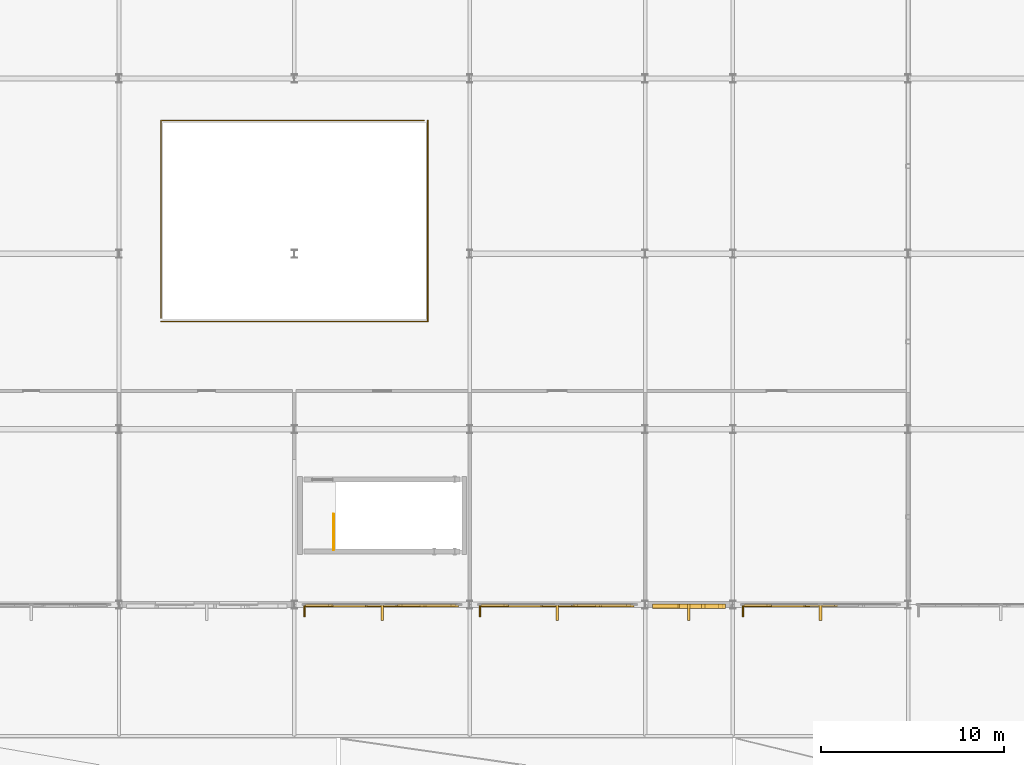
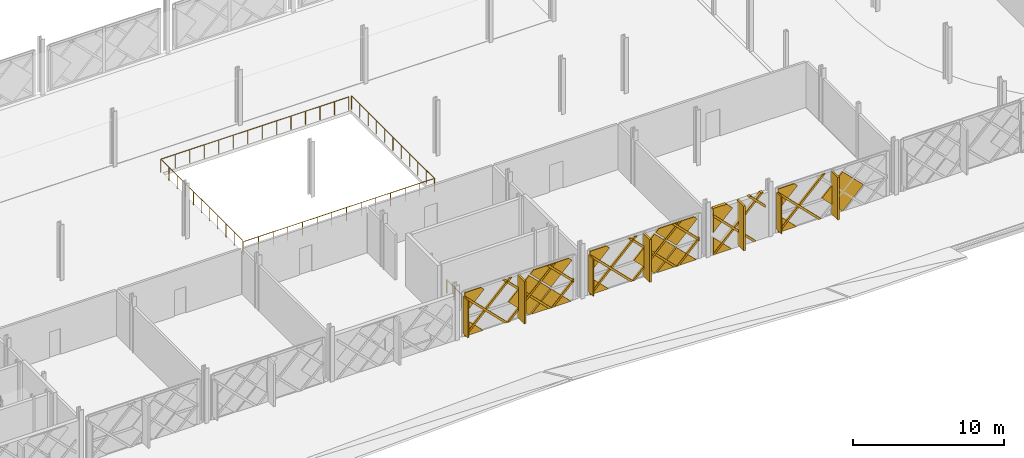
# One storey, part 81 of 101: 36 coverings, 3 railings, 3 shading devices.
"""IFC4 building model written with IfcOpenShell, lengths in metres."""

from ifc_helpers import new_model, si_unit, direction, frame, origin, origin_2d, place, context, subcontext, project, spatial, polyline, rectangle, circle, outline, extrude, material, layer, layer_set, type_object, element, save


model = new_model("IFC4")

# Units and contexts
model_context = context("Model", 3, precision=1e-05, world=origin(), true_north=direction((0.0, 1.0)))
body_context = subcontext(model_context, "Body", "Model", "MODEL_VIEW")
ifc_project = project(units=[si_unit("LENGTHUNIT", "METRE"), si_unit("AREAUNIT", "SQUARE_METRE"), si_unit("VOLUMEUNIT", "CUBIC_METRE"), si_unit("PLANEANGLEUNIT", "RADIAN"), si_unit("MASSUNIT", "GRAM", prefix="KILO")], contexts=[model_context])

# Site, building, storey
site_placement = place(None, origin())
site = spatial("IfcSite", under=ifc_project, at=site_placement, CompositionType="ELEMENT")
building_placement = place(site_placement, origin())
building = spatial("IfcBuilding", under=site, at=building_placement, Name="Zevrakil Square Congress Hotel", CompositionType="ELEMENT")
storey_placement = place(building_placement, frame((0.0, 0.0, 5.39990234375)))
storey = spatial("IfcBuildingStorey", under=building, at=storey_placement, Name="L02", CompositionType="ELEMENT", Elevation=5.39990234375)

# Coverings
ifc_material_1 = material(Name="Architectural White Fibre-C GRC", Category="concrete")
ifc_layer_1 = layer(ifc_material_1, 0.06494140625)
ifc_layer_set_1 = layer_set([ifc_layer_1], Name="Architectural White Fibre-C GRC")
covering_type_1 = type_object("IfcCoveringType", Name="COV-DIA-WHITE", PredefinedType="CLADDING", material=ifc_layer_set_1)
covering_1_placement = place(storey_placement, frame((86.030029296875, 7.10498046875, 0.080078125), z_axis=(0.0, -0.999999760125, 0.000692640526), x_axis=(-1.0, 0.0, 0.0)))
element("IfcCovering", 1, at=covering_1_placement, inside=storey, type_object=covering_type_1, Name="L02 45-degree white GRC diamond facade cassette 141", PredefinedType="CLADDING", context=body_context, shape_type="SweptSolid", body=[
    extrude(outline(polyline([(0.0, 0.0), (1.409912109375, 0.0), (1.409912109375, -1.4099124475784228), (0.0, 0.0)])), origin(), (0.0, 0.0, -1.0), 0.1201171875),
])
covering_2_placement = place(storey_placement, frame((91.239990234375, 7.10595703125, 1.590087890625), z_axis=(0.0, -0.999999790873, 0.000646725815), x_axis=(0.707106707249, -0.000457304257, -0.707106707249)))
element("IfcCovering", 2, at=covering_2_placement, inside=storey, type_object=covering_type_1, Name="L02 45-degree white GRC diamond facade cassette 142", PredefinedType="CLADDING", context=body_context, shape_type="SweptSolid", body=[
    extrude(outline(polyline([(0.0, 0.0), (2.1354765131557993, 0.0), (4.465861884739297e-07, -2.1354765131557527), (0.0, 0.0)])), origin(), (0.0, 0.0, -1.0), 0.1201171875),
])
covering_3_placement = place(storey_placement, frame((89.56005859375, 7.10693359375, 3.27001953125), z_axis=(0.0, -0.999999811377, 0.000614203339), x_axis=(0.707106714488, -0.000434307387, -0.707106714509)))
element("IfcCovering", 3, at=covering_3_placement, inside=storey, type_object=covering_type_1, Name="L02 45-degree white GRC diamond facade cassette 143", PredefinedType="CLADDING", context=body_context, shape_type="SweptSolid", body=[
    extrude(outline(polyline([(0.0, 0.0), (2.2483788053845455, -2.220446049250313e-16), (2.2485518630206376, -2.24855143882716), (-0.00017220931434658304, -2.2485514388922905), (0.0, 0.0)])), origin(), (0.0, 0.0, -1.0), 0.1201171875),
])
covering_4_placement = place(storey_placement, frame((86.110107421875, 7.10693359375, 3.360107421875), z_axis=(-6.3817204e-05, -0.999999812707, 0.000608697323), x_axis=(-0.70710674138, -0.000385288462, -0.707106716025)))
element("IfcCovering", 4, at=covering_4_placement, inside=storey, type_object=covering_type_1, Name="L02 45-degree white GRC diamond facade cassette 144", PredefinedType="CLADDING", context=body_context, shape_type="SweptSolid", body=[
    extrude(outline(polyline([(0.0, 0.0), (2.107164523048957, 0.0), (0.8804306692337134, -1.2267337135238576), (0.00017254562600751977, -0.34647549439319403), (0.0, 0.0)])), origin(), (0.0, 0.0, -1.0), 0.1201171875),
])
covering_5_placement = place(storey_placement, frame((92.830078125, 7.10693359375, 3.360107421875), z_axis=(0.0, -0.999999832181, 0.000579342815), x_axis=(-0.707106746172, -0.000409657254, -0.707106697535)))
element("IfcCovering", 5, at=covering_5_placement, inside=storey, type_object=covering_type_1, Name="L02 45-degree white GRC diamond facade cassette 145", PredefinedType="CLADDING", context=body_context, shape_type="SweptSolid", body=[
    extrude(outline(polyline([(0.0, 0.0), (2.2487239716396576, -2.220446049250313e-16), (2.2487237489345504, -2.248723971639647), (1.9022482605454791, -2.248551391947205), (0.00017254537882177567, -0.3464754884061615), (0.0, 0.0)])), origin(), (0.0, 0.0, -1.0), 0.1201171875),
])
covering_6_placement = place(storey_placement, frame((95.6298828125, 7.10498046875, 0.080078125), z_axis=(0.0, -0.999999760125, 0.000692640526), x_axis=(-1.0, 0.0, 0.0)))
element("IfcCovering", 6, at=covering_6_placement, inside=storey, type_object=covering_type_1, Name="L02 45-degree white GRC diamond facade cassette 164", PredefinedType="CLADDING", context=body_context, shape_type="SweptSolid", body=[
    extrude(outline(polyline([(0.0, 0.0), (1.409912109375, 0.0), (1.409912109375, -1.4099124475784228), (0.0, 0.0)])), origin(), (0.0, 0.0, -1.0), 0.1201171875),
])
covering_7_placement = place(storey_placement, frame((100.840087890625, 7.10595703125, 1.590087890625), z_axis=(0.0, -0.999999790873, 0.000646725815), x_axis=(0.707106707249, -0.000457304257, -0.707106707249)))
element("IfcCovering", 7, at=covering_7_placement, inside=storey, type_object=covering_type_1, Name="L02 45-degree white GRC diamond facade cassette 165", PredefinedType="CLADDING", context=body_context, shape_type="SweptSolid", body=[
    extrude(outline(polyline([(0.0, 0.0), (2.1354765131557993, 0.0), (4.465861884739297e-07, -2.1354765131557527), (0.0, 0.0)])), origin(), (0.0, 0.0, -1.0), 0.1201171875),
])
covering_8_placement = place(storey_placement, frame((99.159912109375, 7.10693359375, 3.27001953125), z_axis=(0.0, -0.999999811377, 0.000614203339), x_axis=(0.707161000837, -0.000434274042, -0.707052424012)))
element("IfcCovering", 8, at=covering_8_placement, inside=storey, type_object=covering_type_1, Name="L02 45-degree white GRC diamond facade cassette 166", PredefinedType="CLADDING", context=body_context, shape_type="SweptSolid", body=[
    extrude(outline(polyline([(0.0, 0.0), (2.2485514454867683, 0.0), (2.2483792228863573, -2.248724065739994), (-0.0001721960923970478, -2.248378798790573), (0.0, 0.0)])), origin(), (0.0, 0.0, -1.0), 0.1201171875),
])
covering_9_placement = place(storey_placement, frame((95.7099609375, 7.10693359375, 3.360107421875), z_axis=(-6.3815884e-05, -0.999999812703, 0.000608705356), x_axis=(-0.707106741381, -0.000385295076, -0.707106716021)))
element("IfcCovering", 9, at=covering_9_placement, inside=storey, type_object=covering_type_1, Name="L02 45-degree white GRC diamond facade cassette 167", PredefinedType="CLADDING", context=body_context, shape_type="SweptSolid", body=[
    extrude(outline(polyline([(0.0, 0.0), (2.1071645230484313, 0.0), (0.8804306692339328, -1.2267337135237), (-8.785623831220057e-08, -0.3463028608930553), (0.0, 0.0)])), origin(), (0.0, 0.0, -1.0), 0.1201171875),
])
covering_10_placement = place(storey_placement, frame((102.429931640625, 7.10693359375, 3.360107421875), z_axis=(0.0, -0.999999832179, 0.000579346068), x_axis=(-0.707052455657, -0.000409691004, -0.707160983866)))
element("IfcCovering", 10, at=covering_10_placement, inside=storey, type_object=covering_type_1, Name="L02 45-degree white GRC diamond facade cassette 168", PredefinedType="CLADDING", context=body_context, shape_type="SweptSolid", body=[
    extrude(outline(polyline([(0.0, 0.0), (2.2485513447832775, -2.220446049250313e-16), (2.248378475325489, -2.2487239649946003), (1.901903001207207, -2.248524784497797), (-2.6675655460328684e-05, -0.346302853878948), (0.0, 0.0)])), origin(), (0.0, 0.0, -1.0), 0.1201171875),
])
covering_11_placement = place(storey_placement, frame((105.010009765625, 7.02001953125, 0.080078125), z_axis=(0.0, -0.999999760125, 0.000692640526), x_axis=(-1.0, 0.0, 0.0)))
element("IfcCovering", 11, at=covering_11_placement, inside=storey, type_object=covering_type_1, Name="L02 45-degree white GRC diamond facade cassette 188", PredefinedType="CLADDING", context=body_context, shape_type="SweptSolid", body=[
    extrude(outline(polyline([(0.0, 0.0), (1.409912109375, 0.0), (1.409912109375, -1.4099124475784228), (0.0, 0.0)])), origin(), (0.0, 0.0, -1.0), 0.219970703125),
])
covering_12_placement = place(storey_placement, frame((105.090087890625, 7.02197265625, 3.360107421875), z_axis=(2.938165e-05, -0.999999815938, 0.000606020569), x_axis=(-0.707106705735, -0.000449297258, -0.707106713896)))
element("IfcCovering", 12, at=covering_12_placement, inside=storey, type_object=covering_type_1, Name="L02 45-degree white GRC diamond facade cassette 189", PredefinedType="CLADDING", context=body_context, shape_type="SweptSolid", body=[
    extrude(outline(polyline([(0.0, 0.0), (2.1071646233388757, 2.220446049250313e-16), (0.7176372340245711, -1.3895270927381438), (-1.1356861362443738e-07, -0.6718895926146887), (0.0, 0.0)])), origin(), (0.0, 0.0, -1.0), 0.219970703125),
])
covering_13_placement = place(storey_placement, frame((110.030029296875, 7.10498046875, 0.080078125), z_axis=(0.0, -0.999999760125, 0.000692640526), x_axis=(-1.0, 0.0, 0.0)))
element("IfcCovering", 13, at=covering_13_placement, inside=storey, type_object=covering_type_1, Name="L02 45-degree white GRC diamond facade cassette 201", PredefinedType="CLADDING", context=body_context, shape_type="SweptSolid", body=[
    extrude(outline(polyline([(0.0, 0.0), (1.409912109375, 0.0), (1.409912109375, -1.4099124475784228), (0.0, 0.0)])), origin(), (0.0, 0.0, -1.0), 0.1201171875),
])
covering_14_placement = place(storey_placement, frame((113.56005859375, 7.10693359375, 3.27001953125), z_axis=(0.0, -0.999999811377, 0.000614203339), x_axis=(0.707106714488, -0.000434307387, -0.707106714509)))
element("IfcCovering", 14, at=covering_14_placement, inside=storey, type_object=covering_type_1, Name="L02 45-degree white GRC diamond facade cassette 203", PredefinedType="CLADDING", context=body_context, shape_type="SweptSolid", body=[
    extrude(outline(polyline([(0.0, 0.0), (2.2483788053845455, -2.220446049250313e-16), (2.2485518630206376, -2.24855143882716), (-0.00017220931434658304, -2.2485514388922905), (0.0, 0.0)])), origin(), (0.0, 0.0, -1.0), 0.1201171875),
])
covering_15_placement = place(storey_placement, frame((110.110107421875, 7.10693359375, 3.360107421875), z_axis=(-6.3817204e-05, -0.999999812707, 0.000608697323), x_axis=(-0.70710674138, -0.000385288462, -0.707106716025)))
element("IfcCovering", 15, at=covering_15_placement, inside=storey, type_object=covering_type_1, Name="L02 45-degree white GRC diamond facade cassette 204", PredefinedType="CLADDING", context=body_context, shape_type="SweptSolid", body=[
    extrude(outline(polyline([(0.0, 0.0), (2.107164523048957, 0.0), (0.8804306692337134, -1.2267337135238576), (0.00017254562600751977, -0.34647549439319403), (0.0, 0.0)])), origin(), (0.0, 0.0, -1.0), 0.1201171875),
])
ifc_material_2 = material(Name="Anodised Champagne Aluminium", Category="aluminium")
ifc_layer_2 = layer(ifc_material_2, 0.0849609375)
ifc_layer_set_2 = layer_set([ifc_layer_2], Name="Anodised Champagne Aluminium")
covering_type_2 = type_object("IfcCoveringType", Name="COV-DIAGRID-45", PredefinedType="MOLDING", material=ifc_layer_set_2)
covering_16_placement = place(storey_placement, frame((84.7060546875, 7.080078125, 0.080078125), z_axis=(0.000187315855, -0.999999884444, 0.000442746567), x_axis=(-0.999999982456, -0.000187315837, 8.2933e-08)))
element("IfcCovering", 16, at=covering_16_placement, inside=storey, type_object=covering_type_2, Name="L02 45-degree aluminium diagrid rib 146", PredefinedType="MOLDING", context=body_context, shape_type="SweptSolid", body=[
    extrude(outline(polyline([(0.0, 0.0), (0.08593749849234558, 2.274746684520826e-24), (0.08593750896026438, -0.12622069075382242), (-3.312744201757818, -3.5249029710981508), (-3.525146541781513, -3.5249029710981508), (0.0, 0.0)])), origin(), (0.0, 0.0, -1.0), 0.14501953125),
])
covering_17_placement = place(storey_placement, frame((88.066162109375, 7.080078125, 0.080078125), z_axis=(0.0, -0.999999805714, 0.000623354914), x_axis=(-1.0, 0.0, 0.0)))
element("IfcCovering", 17, at=covering_17_placement, inside=storey, type_object=covering_type_2, Name="L02 45-degree aluminium diagrid rib 147", PredefinedType="MOLDING", context=body_context, shape_type="SweptSolid", body=[
    extrude(outline(polyline([(0.0, 0.0), (0.212158203125, 0.0), (-3.312744140625, -3.5249030285882292), (-3.52490234375, -3.5249030285882292), (0.0, 0.0)])), origin(), (0.0, 0.0, -1.0), 0.14501953125),
])
covering_18_placement = place(storey_placement, frame((91.426025390625, 7.080078125, 0.080078125), z_axis=(0.000294139249, -0.999999913482, 0.000294139249), x_axis=(-0.999999956741, -0.000294139237, 8.6518e-08)))
element("IfcCovering", 18, at=covering_18_placement, inside=storey, type_object=covering_type_2, Name="L02 45-degree aluminium diagrid rib 148", PredefinedType="MOLDING", context=body_context, shape_type="SweptSolid", body=[
    extrude(outline(polyline([(0.0, 0.0), (0.2121581939472589, 0.0), (-1.553955145347468, -1.7661134920951609), (-1.5539551637029505, -1.5539552981479028), (0.0, 0.0)])), origin(), (0.0, 0.0, -1.0), 0.14501953125),
])
covering_19_placement = place(storey_placement, frame((84.6201171875, 7.081787109375, 3.154052734375), z_axis=(0.000287488092, -0.999999586067, 0.000863259418), x_axis=(8.2649e-08, 0.000863259477, 0.999999627391)))
element("IfcCovering", 19, at=covering_19_placement, inside=storey, type_object=covering_type_2, Name="L02 45-degree aluminium diagrid rib 149", PredefinedType="MOLDING", context=body_context, shape_type="SweptSolid", body=[
    extrude(outline(polyline([(0.0, 0.0), (0.212158334829751, 1.3234889800848443e-23), (-3.0739746677062127, -3.2858890617254115), (-3.073974685240951, -3.0737308673677872), (0.0, 0.0)])), origin(), (0.0, 0.0, -1.0), 0.14501953125),
])
covering_20_placement = place(storey_placement, frame((87.52880859375, 7.082275390625, 3.60498046875), z_axis=(0.0, -0.999999805714, 0.000623354914), x_axis=(1.0, 0.0, 0.0)))
element("IfcCovering", 20, at=covering_20_placement, inside=storey, type_object=covering_type_2, Name="L02 45-degree aluminium diagrid rib 150", PredefinedType="MOLDING", context=body_context, shape_type="SweptSolid", body=[
    extrude(outline(polyline([(0.0, 0.0), (0.21240234375, 0.0), (3.7373046875, -3.524903028588229), (3.525146484375, -3.524903028588229), (0.0, 0.0)])), origin(), (0.0, 0.0, -1.0), 0.14501953125),
])
covering_21_placement = place(storey_placement, frame((90.888916015625, 7.082275390625, 3.60498046875), z_axis=(0.000236587851, -0.999999555129, 0.000913108865), x_axis=(0.999999972013, 0.000236587752, -2.1603e-07)))
element("IfcCovering", 21, at=covering_21_placement, inside=storey, type_object=covering_type_2, Name="L02 45-degree aluminium diagrid rib 151", PredefinedType="MOLDING", context=body_context, shape_type="SweptSolid", body=[
    extrude(outline(polyline([(0.0, 0.0), (0.21215819718734832, -5.6157808774107894e-24), (2.091064511647426, -1.878662440825683), (2.091064499772122, -2.0910649189555177), (0.0, 0.0)])), origin(), (0.0, 0.0, -1.0), 0.14501953125),
])
covering_22_placement = place(storey_placement, frame((94.30615234375, 7.080078125, 0.080078125), z_axis=(0.000187311957, -0.999999884449, 0.000442737353), x_axis=(-0.999999982457, -0.000187311939, 8.293e-08)))
element("IfcCovering", 22, at=covering_22_placement, inside=storey, type_object=covering_type_2, Name="L02 45-degree aluminium diagrid rib 169", PredefinedType="MOLDING", context=body_context, shape_type="SweptSolid", body=[
    extrude(outline(polyline([(0.0, 0.0), (0.0861816391131254, 2.2812090330563966e-24), (0.08618164958060848, -0.12622069075433734), (-3.312744201763839, -3.524902971092284), (-3.5249024011669716, -3.524902971092284), (0.0, 0.0)])), origin(), (0.0, 0.0, -1.0), 0.14501953125),
])
covering_23_placement = place(storey_placement, frame((97.666015625, 7.080078125, 0.080078125), z_axis=(0.0, -0.999999805714, 0.000623354914), x_axis=(-1.0, 0.0, 0.0)))
element("IfcCovering", 23, at=covering_23_placement, inside=storey, type_object=covering_type_2, Name="L02 45-degree aluminium diagrid rib 170", PredefinedType="MOLDING", context=body_context, shape_type="SweptSolid", body=[
    extrude(outline(polyline([(0.0, 0.0), (0.212158203125, 0.0), (-3.31298828125, -3.5249030285882292), (-3.525146484375, -3.5249030285882292), (0.0, 0.0)])), origin(), (0.0, 0.0, -1.0), 0.14501953125),
])
covering_24_placement = place(storey_placement, frame((101.026123046875, 7.080078125, 0.080078125), z_axis=(0.000294139249, -0.999999913482, 0.000294139249), x_axis=(-0.999999956741, -0.000294139237, 8.6518e-08)))
element("IfcCovering", 24, at=covering_24_placement, inside=storey, type_object=covering_type_2, Name="L02 45-degree aluminium diagrid rib 171", PredefinedType="MOLDING", context=body_context, shape_type="SweptSolid", body=[
    extrude(outline(polyline([(0.0, 0.0), (0.2121581939472589, 0.0), (-1.553955145347468, -1.7661134920951609), (-1.5539551637029505, -1.5539552981479028), (0.0, 0.0)])), origin(), (0.0, 0.0, -1.0), 0.14501953125),
])
covering_25_placement = place(storey_placement, frame((94.219970703125, 7.081787109375, 3.154052734375), z_axis=(0.000287477056, -0.99999958606, 0.000863270454), x_axis=(8.2643e-08, 0.000863270513, 0.999999627382)))
element("IfcCovering", 25, at=covering_25_placement, inside=storey, type_object=covering_type_2, Name="L02 45-degree aluminium diagrid rib 172", PredefinedType="MOLDING", context=body_context, shape_type="SweptSolid", body=[
    extrude(outline(polyline([(0.0, 0.0), (0.21215833483042407, 1.3234889800848443e-23), (-3.0739746676964605, -3.286133202330571), (-3.073974685229852, -3.0739750079722734), (0.0, 0.0)])), origin(), (0.0, 0.0, -1.0), 0.14501953125),
])
covering_26_placement = place(storey_placement, frame((97.12890625, 7.082275390625, 3.60498046875), z_axis=(0.0, -0.999999805714, 0.000623354914), x_axis=(1.0, 0.0, 0.0)))
element("IfcCovering", 26, at=covering_26_placement, inside=storey, type_object=covering_type_2, Name="L02 45-degree aluminium diagrid rib 173", PredefinedType="MOLDING", context=body_context, shape_type="SweptSolid", body=[
    extrude(outline(polyline([(0.0, 0.0), (0.212158203125, 0.0), (3.7373046875, -3.524903028588229), (3.52490234375, -3.524903028588229), (0.0, 0.0)])), origin(), (0.0, 0.0, -1.0), 0.14501953125),
])
covering_27_placement = place(storey_placement, frame((100.489013671875, 7.082275390625, 3.60498046875), z_axis=(0.000236587851, -0.999999555129, 0.000913108865), x_axis=(0.999999972013, 0.000236587752, -2.1603e-07)))
element("IfcCovering", 27, at=covering_27_placement, inside=storey, type_object=covering_type_2, Name="L02 45-degree aluminium diagrid rib 174", PredefinedType="MOLDING", context=body_context, shape_type="SweptSolid", body=[
    extrude(outline(polyline([(0.0, 0.0), (0.21215819718734832, -5.6157808774107894e-24), (2.091064511647426, -1.878662440825683), (2.091064499772122, -2.0910649189555177), (0.0, 0.0)])), origin(), (0.0, 0.0, -1.0), 0.14501953125),
])
covering_28_placement = place(storey_placement, frame((103.68603515625, 6.9951171875, 0.080078125), z_axis=(0.000175817836, -0.999999898336, 0.000415229359), x_axis=(-0.999999984544, -0.000175817821, 7.3005e-08)))
element("IfcCovering", 28, at=covering_28_placement, inside=storey, type_object=covering_type_2, Name="L02 45-degree aluminium diagrid rib 190", PredefinedType="MOLDING", context=body_context, shape_type="SweptSolid", body=[
    extrude(outline(polyline([(0.0, 0.0), (0.08593749867175378, 1.137373342260413e-24), (0.08593750788646196, -0.12622069224380142), (-3.542968807416462, -3.75512754177329), (-3.755127007262354, -3.75512754177329), (0.0, 0.0)])), origin(), (0.0, 0.0, -1.0), 0.2451171875),
])
covering_29_placement = place(storey_placement, frame((103.60009765625, 6.996826171875, 3.154052734375), z_axis=(0.000287488092, -0.999999586067, 0.000863259418), x_axis=(8.2649e-08, 0.000863259477, 0.999999627391)))
element("IfcCovering", 29, at=covering_29_placement, inside=storey, type_object=covering_type_2, Name="L02 45-degree aluminium diagrid rib 191", PredefinedType="MOLDING", context=body_context, shape_type="SweptSolid", body=[
    extrude(outline(polyline([(0.0, 0.0), (0.212158334829751, 1.3234889800848443e-23), (-3.0739746677062127, -3.2858890617254115), (-3.073974685240951, -3.0737308673677872), (0.0, 0.0)])), origin(), (0.0, 0.0, -1.0), 0.2451171875),
])
covering_30_placement = place(storey_placement, frame((106.27880859375, 6.997314453125, 3.835205078125), z_axis=(-0.00030138635, -0.999999909166, 0.00030138635), x_axis=(0.999999954583, -0.000301386336, 9.0834e-08)))
element("IfcCovering", 30, at=covering_30_placement, inside=storey, type_object=covering_type_2, Name="L02 45-degree aluminium diagrid rib 192", PredefinedType="MOLDING", context=body_context, shape_type="SweptSolid", body=[
    extrude(outline(polyline([(0.0, 0.0), (0.212402334103351, 2.81112161297318e-24), (1.3212891225088124, -1.1088868891298003), (1.3212891032155138, -1.3212892232331503), (0.0, 0.0)])), origin(), (0.0, 0.0, -1.0), 0.2451171875),
])
covering_31_placement = place(storey_placement, frame((108.7060546875, 7.080078125, 0.080078125), z_axis=(0.000187315855, -0.999999884444, 0.000442746567), x_axis=(-0.999999982456, -0.000187315837, 8.2933e-08)))
element("IfcCovering", 31, at=covering_31_placement, inside=storey, type_object=covering_type_2, Name="L02 45-degree aluminium diagrid rib 206", PredefinedType="MOLDING", context=body_context, shape_type="SweptSolid", body=[
    extrude(outline(polyline([(0.0, 0.0), (0.08593749849234558, 2.274746684520826e-24), (0.08593750896026438, -0.12622069075382242), (-3.312744201757818, -3.5249029710981508), (-3.525146541781513, -3.5249029710981508), (0.0, 0.0)])), origin(), (0.0, 0.0, -1.0), 0.14501953125),
])
covering_32_placement = place(storey_placement, frame((108.6201171875, 7.081787109375, 3.154052734375), z_axis=(0.000287488092, -0.999999586067, 0.000863259418), x_axis=(8.2649e-08, 0.000863259477, 0.999999627391)))
element("IfcCovering", 32, at=covering_32_placement, inside=storey, type_object=covering_type_2, Name="L02 45-degree aluminium diagrid rib 209", PredefinedType="MOLDING", context=body_context, shape_type="SweptSolid", body=[
    extrude(outline(polyline([(0.0, 0.0), (0.212158334829751, 1.3234889800848443e-23), (-3.0739746677062127, -3.2858890617254115), (-3.073974685240951, -3.0737308673677872), (0.0, 0.0)])), origin(), (0.0, 0.0, -1.0), 0.14501953125),
])
ifc_material_3 = material(Name="Architectural White Fibre-C GRC", Category="concrete")
ifc_layer_3 = layer(ifc_material_3, 0.139892578125)
ifc_layer_set_3 = layer_set([ifc_layer_3], Name="Architectural White Fibre-C GRC")
covering_type_3 = type_object("IfcCoveringType", Name="COV-FIN-GRC90", PredefinedType="MOLDING", material=ifc_layer_set_3)
for number, where, z_axis, x_axis, name in (
    (33, (88.800048828125, 6.780029296875, 0.1201171875), (0.0, 0.0, 1.0), (0.0, -1.0, 0.0), "L02 highland sun-breaker GRC fin 152"),
    (34, (98.39990234375, 6.780029296875, 0.1201171875), (0.0, 0.0, 1.0), (0.0, -1.0, 0.0), "L02 highland sun-breaker GRC fin 175"),
):
    element("IfcCovering", number, at=place(storey_placement, frame(where, z_axis=z_axis, x_axis=x_axis)), inside=storey, type_object=covering_type_3, Name=name, PredefinedType="MOLDING", context=body_context, shape_type="SweptSolid", body=[
        extrude(rectangle(XDim=0.89990234375, YDim=0.139892578125, at=origin_2d()), origin(), (0.0, 0.0, 1.0), 3.445068359375),
    ])
covering_33_placement = place(storey_placement, frame((105.60009765625, 6.780029296875, 0.157470703125), z_axis=(0.0, 0.0, 1.0), x_axis=(0.0, -1.0, 0.0)))
element("IfcCovering", 35, at=covering_33_placement, inside=storey, type_object=covering_type_3, Name="L02 highland sun-breaker GRC fin 193", PredefinedType="MOLDING", context=body_context, shape_type="SweptSolid", body=[
    extrude(rectangle(XDim=0.89990234375, YDim=0.139892578125, at=origin_2d()), origin(), (0.0, 0.0, 1.0), 3.60009765625),
])
covering_34_placement = place(storey_placement, frame((112.800048828125, 6.780029296875, 0.1201171875), z_axis=(0.0, 0.0, 1.0), x_axis=(0.0, -1.0, 0.0)))
element("IfcCovering", 36, at=covering_34_placement, inside=storey, type_object=covering_type_3, Name="L02 highland sun-breaker GRC fin 212", PredefinedType="MOLDING", context=body_context, shape_type="SweptSolid", body=[
    extrude(rectangle(XDim=0.89990234375, YDim=0.139892578125, at=origin_2d()), origin(), (0.0, 0.0, 1.0), 3.445068359375),
])

# Railings
ifc_material_4 = material(Name="Steel S355", Category="steel")
railing_type_1 = type_object("IfcRailingType", Name="RLG-STAIR-GUARD-1100", PredefinedType="BALUSTRADE", material=ifc_material_4)
railing_1_placement = place(storey_placement, frame((86.14990234375, 10.199951171875, 0.0)))
element("IfcRailing", 37, at=railing_1_placement, inside=storey, type_object=railing_type_1, Name="L02 ST15 top well guard 1", PredefinedType="BALUSTRADE", context=body_context, shape_type="SweptSolid", body=[
    extrude(circle(Radius=0.02392578125, at=origin_2d()), frame((0.0, 0.0, 1.076171875), z_axis=(0.0, 1.0, 0.0), x_axis=(-1.0, 0.0, 0.0)), (0.0, 0.0, 1.0), 1.949951171875),
    extrude(circle(Radius=0.02099609375, at=origin_2d()), origin(), (0.0, 0.0, 1.0), 1.052001953125),
    extrude(circle(Radius=0.02099609375, at=origin_2d()), frame((0.0, 0.97509765625, 0.0)), (0.0, 0.0, 1.0), 1.052001953125),
    extrude(circle(Radius=0.02099609375, at=origin_2d()), frame((0.0, 1.949951171875, 0.0)), (0.0, 0.0, 1.0), 1.052001953125),
])
ifc_material_5 = material(Name="Steel S355", Category="steel")
railing_type_2 = type_object("IfcRailingType", Name="RLG-TERR-1100", PredefinedType="BALUSTRADE", material=ifc_material_5)
railing_2_placement = place(storey_placement, frame((76.699951171875, 22.699951171875, 0.0)))
element("IfcRailing", 38, at=railing_2_placement, inside=storey, type_object=railing_type_2, Name="L02 terrace and void safety balustrade guard 38", PredefinedType="BALUSTRADE", context=body_context, shape_type="SweptSolid", body=[
    extrude(circle(Radius=0.02392578125, at=origin_2d()), frame((0.0, 0.0, 1.076171875), z_axis=(1.0, 0.0, 0.0), x_axis=(0.0, 1.0, 0.0)), (0.0, 0.0, 1.0), 14.60009765625),
    extrude(circle(Radius=0.02392578125, at=origin_2d()), frame((14.60009765625, 0.0, 1.076171875), z_axis=(0.0, 1.0, 0.0), x_axis=(-1.0, 0.0, 0.0)), (0.0, 0.0, 1.0), 11.0),
    extrude(circle(Radius=0.02099609375, at=origin_2d()), origin(), (0.0, 0.0, 1.0), 1.052001953125),
    extrude(circle(Radius=0.02099609375, at=origin_2d()), frame((1.123046875, 0.0, 0.0)), (0.0, 0.0, 1.0), 1.052001953125),
    extrude(circle(Radius=0.02099609375, at=origin_2d()), frame((2.24609375, 0.0, 0.0)), (0.0, 0.0, 1.0), 1.052001953125),
    extrude(circle(Radius=0.02099609375, at=origin_2d()), frame((3.369140625, 0.0, 0.0)), (0.0, 0.0, 1.0), 1.052001953125),
    extrude(circle(Radius=0.02099609375, at=origin_2d()), frame((4.492431640625, 0.0, 0.0)), (0.0, 0.0, 1.0), 1.052001953125),
    extrude(circle(Radius=0.02099609375, at=origin_2d()), frame((5.615478515625, 0.0, 0.0)), (0.0, 0.0, 1.0), 1.052001953125),
    extrude(circle(Radius=0.02099609375, at=origin_2d()), frame((6.738525390625, 0.0, 0.0)), (0.0, 0.0, 1.0), 1.052001953125),
    extrude(circle(Radius=0.02099609375, at=origin_2d()), frame((7.861572265625, 0.0, 0.0)), (0.0, 0.0, 1.0), 1.052001953125),
    extrude(circle(Radius=0.02099609375, at=origin_2d()), frame((8.984619140625, 0.0, 0.0)), (0.0, 0.0, 1.0), 1.052001953125),
    extrude(circle(Radius=0.02099609375, at=origin_2d()), frame((10.107666015625, 0.0, 0.0)), (0.0, 0.0, 1.0), 1.052001953125),
    extrude(circle(Radius=0.02099609375, at=origin_2d()), frame((11.23095703125, 0.0, 0.0)), (0.0, 0.0, 1.0), 1.052001953125),
    extrude(circle(Radius=0.02099609375, at=origin_2d()), frame((12.35400390625, 0.0, 0.0)), (0.0, 0.0, 1.0), 1.052001953125),
    extrude(circle(Radius=0.02099609375, at=origin_2d()), frame((13.47705078125, 0.0, 0.0)), (0.0, 0.0, 1.0), 1.052001953125),
    extrude(circle(Radius=0.02099609375, at=origin_2d()), frame((14.60009765625, 0.0, 0.0)), (0.0, 0.0, 1.0), 1.052001953125),
    extrude(circle(Radius=0.02099609375, at=origin_2d()), frame((14.60009765625, 1.10009765625, 0.0)), (0.0, 0.0, 1.0), 1.052001953125),
    extrude(circle(Radius=0.02099609375, at=origin_2d()), frame((14.60009765625, 2.199951171875, 0.0)), (0.0, 0.0, 1.0), 1.052001953125),
    extrude(circle(Radius=0.02099609375, at=origin_2d()), frame((14.60009765625, 3.300048828125, 0.0)), (0.0, 0.0, 1.0), 1.052001953125),
    extrude(circle(Radius=0.02099609375, at=origin_2d()), frame((14.60009765625, 4.39990234375, 0.0)), (0.0, 0.0, 1.0), 1.052001953125),
    extrude(circle(Radius=0.02099609375, at=origin_2d()), frame((14.60009765625, 5.5, 0.0)), (0.0, 0.0, 1.0), 1.052001953125),
    extrude(circle(Radius=0.02099609375, at=origin_2d()), frame((14.60009765625, 6.60009765625, 0.0)), (0.0, 0.0, 1.0), 1.052001953125),
    extrude(circle(Radius=0.02099609375, at=origin_2d()), frame((14.60009765625, 7.699951171875, 0.0)), (0.0, 0.0, 1.0), 1.052001953125),
    extrude(circle(Radius=0.02099609375, at=origin_2d()), frame((14.60009765625, 8.800048828125, 0.0)), (0.0, 0.0, 1.0), 1.052001953125),
    extrude(circle(Radius=0.02099609375, at=origin_2d()), frame((14.60009765625, 9.89990234375, 0.0)), (0.0, 0.0, 1.0), 1.052001953125),
    extrude(circle(Radius=0.02099609375, at=origin_2d()), frame((14.60009765625, 11.0, 0.0)), (0.0, 0.0, 1.0), 1.052001953125),
])
railing_3_placement = place(storey_placement, frame((91.10009765625, 33.699951171875, 0.0)))
element("IfcRailing", 39, at=railing_3_placement, inside=storey, type_object=railing_type_2, Name="L02 terrace and void safety balustrade guard 39", PredefinedType="BALUSTRADE", context=body_context, shape_type="SweptSolid", body=[
    extrude(circle(Radius=0.02392578125, at=origin_2d()), frame((0.0, 0.0, 1.076171875), z_axis=(-1.0, 0.0, 0.0), x_axis=(0.0, -1.0, 0.0)), (0.0, 0.0, 1.0), 14.400146484375),
    extrude(circle(Radius=0.02392578125, at=origin_2d()), frame((-14.400146484375, 0.0, 1.076171875), z_axis=(0.0, -1.0, 0.0), x_axis=(1.0, 0.0, 0.0)), (0.0, 0.0, 1.0), 10.800048828125),
    extrude(circle(Radius=0.02099609375, at=origin_2d()), origin(), (0.0, 0.0, 1.0), 1.052001953125),
    extrude(circle(Radius=0.02099609375, at=origin_2d()), frame((-1.107666015625, 0.0, 0.0)), (0.0, 0.0, 1.0), 1.052001953125),
    extrude(circle(Radius=0.02099609375, at=origin_2d()), frame((-2.21533203125, 0.0, 0.0)), (0.0, 0.0, 1.0), 1.052001953125),
    extrude(circle(Radius=0.02099609375, at=origin_2d()), frame((-3.322998046875, 0.0, 0.0)), (0.0, 0.0, 1.0), 1.052001953125),
    extrude(circle(Radius=0.02099609375, at=origin_2d()), frame((-4.430908203125, 0.0, 0.0)), (0.0, 0.0, 1.0), 1.052001953125),
    extrude(circle(Radius=0.02099609375, at=origin_2d()), frame((-5.53857421875, 0.0, 0.0)), (0.0, 0.0, 1.0), 1.052001953125),
    extrude(circle(Radius=0.02099609375, at=origin_2d()), frame((-6.646240234375, 0.0, 0.0)), (0.0, 0.0, 1.0), 1.052001953125),
    extrude(circle(Radius=0.02099609375, at=origin_2d()), frame((-7.75390625, 0.0, 0.0)), (0.0, 0.0, 1.0), 1.052001953125),
    extrude(circle(Radius=0.02099609375, at=origin_2d()), frame((-8.861572265625, 0.0, 0.0)), (0.0, 0.0, 1.0), 1.052001953125),
    extrude(circle(Radius=0.02099609375, at=origin_2d()), frame((-9.96923828125, 0.0, 0.0)), (0.0, 0.0, 1.0), 1.052001953125),
    extrude(circle(Radius=0.02099609375, at=origin_2d()), frame((-11.0771484375, 0.0, 0.0)), (0.0, 0.0, 1.0), 1.052001953125),
    extrude(circle(Radius=0.02099609375, at=origin_2d()), frame((-12.184814453125, 0.0, 0.0)), (0.0, 0.0, 1.0), 1.052001953125),
    extrude(circle(Radius=0.02099609375, at=origin_2d()), frame((-13.29248046875, 0.0, 0.0)), (0.0, 0.0, 1.0), 1.052001953125),
    extrude(circle(Radius=0.02099609375, at=origin_2d()), frame((-14.400146484375, 0.0, 0.0)), (0.0, 0.0, 1.0), 1.052001953125),
    extrude(circle(Radius=0.02099609375, at=origin_2d()), frame((-14.400146484375, -1.080078125, 0.0)), (0.0, 0.0, 1.0), 1.052001953125),
    extrude(circle(Radius=0.02099609375, at=origin_2d()), frame((-14.400146484375, -2.159912109375, 0.0)), (0.0, 0.0, 1.0), 1.052001953125),
    extrude(circle(Radius=0.02099609375, at=origin_2d()), frame((-14.400146484375, -3.239990234375, 0.0)), (0.0, 0.0, 1.0), 1.052001953125),
    extrude(circle(Radius=0.02099609375, at=origin_2d()), frame((-14.400146484375, -4.320068359375, 0.0)), (0.0, 0.0, 1.0), 1.052001953125),
    extrude(circle(Radius=0.02099609375, at=origin_2d()), frame((-14.400146484375, -5.39990234375, 0.0)), (0.0, 0.0, 1.0), 1.052001953125),
    extrude(circle(Radius=0.02099609375, at=origin_2d()), frame((-14.400146484375, -6.47998046875, 0.0)), (0.0, 0.0, 1.0), 1.052001953125),
    extrude(circle(Radius=0.02099609375, at=origin_2d()), frame((-14.400146484375, -7.56005859375, 0.0)), (0.0, 0.0, 1.0), 1.052001953125),
    extrude(circle(Radius=0.02099609375, at=origin_2d()), frame((-14.400146484375, -8.64013671875, 0.0)), (0.0, 0.0, 1.0), 1.052001953125),
    extrude(circle(Radius=0.02099609375, at=origin_2d()), frame((-14.400146484375, -9.719970703125, 0.0)), (0.0, 0.0, 1.0), 1.052001953125),
    extrude(circle(Radius=0.02099609375, at=origin_2d()), frame((-14.400146484375, -10.800048828125, 0.0)), (0.0, 0.0, 1.0), 1.052001953125),
])

# Shading devices
ifc_material_6 = material(Name="Aluminium Anodised Bronze", Category="aluminium")
shading_device_type = type_object("IfcShadingDeviceType", Name="SHD-FIN-65", PredefinedType="USERDEFINED", material=ifc_material_6)
for number, where, z_axis, x_axis, name in (
    (40, (84.56005859375, 6.85498046875, 0.342529296875), (0.0, 0.0, 1.0), (0.0, -1.0, 0.0), "L02 aluminium solar shading fin 9"),
    (41, (94.159912109375, 6.85498046875, 0.342529296875), (0.0, 0.0, 1.0), (0.0, -1.0, 0.0), "L02 aluminium solar shading fin 11"),
    (42, (108.56005859375, 6.85498046875, 0.342529296875), (0.0, 0.0, 1.0), (0.0, -1.0, 0.0), "L02 aluminium solar shading fin 13"),
):
    element("IfcShadingDevice", number, at=place(storey_placement, frame(where, z_axis=z_axis, x_axis=x_axis)), inside=storey, type_object=shading_device_type, Name=name, ObjectType="SOLAR FIN", PredefinedType="USERDEFINED", context=body_context, shape_type="SweptSolid", body=[
        extrude(rectangle(XDim=0.64990234375, YDim=0.080078125, at=origin_2d()), origin(), (0.0, 0.0, 1.0), 3.0),
    ])

save(model, "model.ifc")
